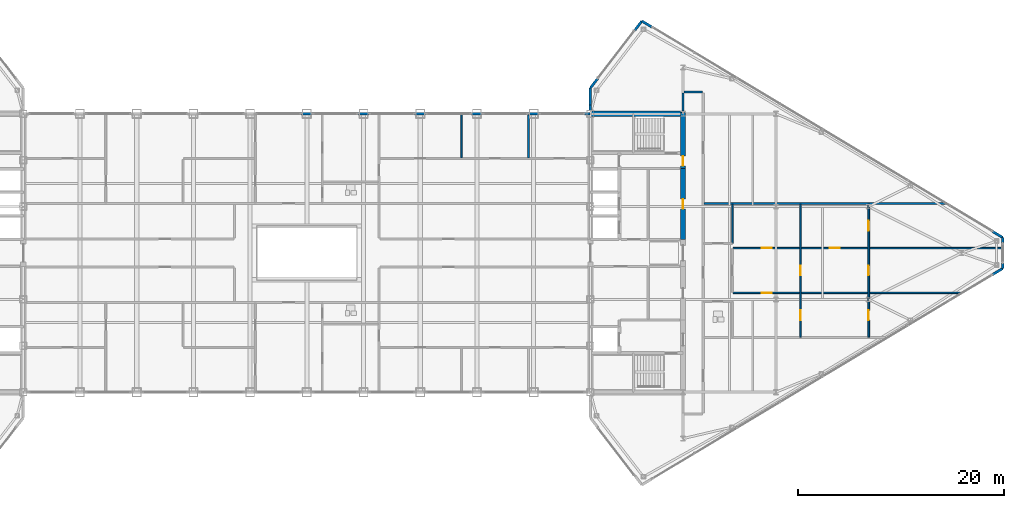
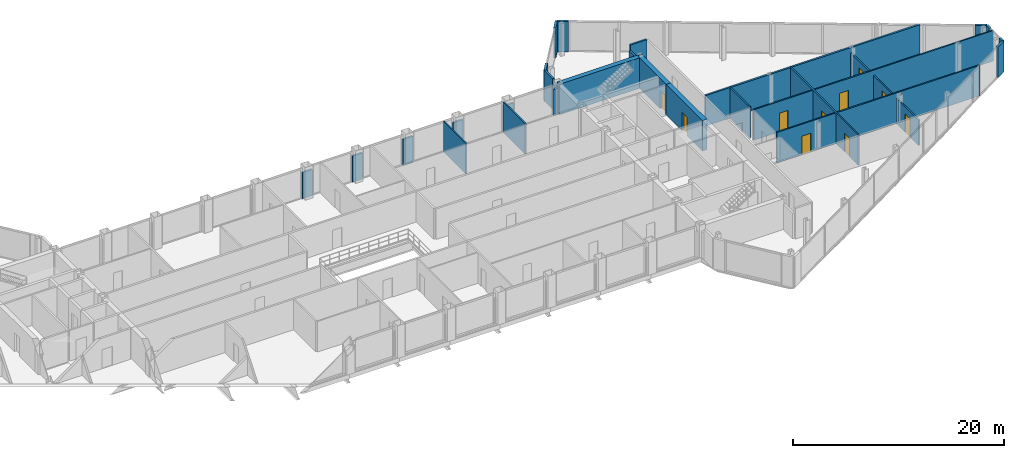
# One storey, part 26 of 29: 28 walls, 10 doors, 10 openings.
"""IFC4 building model written with IfcOpenShell, lengths in metres."""

from ifc_helpers import new_model, si_unit, direction, frame, frame_2d, origin, place, context, subcontext, project, spatial, rectangle, extrude, source, transform, mapped, material, layer, layer_set, type_object, type_shapes, element, fill, save


model = new_model("IFC4")

# Units and contexts
model_context = context("Model", 3, precision=1e-05, world=origin(), true_north=direction((0.0, 1.0)))
body_context = subcontext(model_context, "Body", "Model", "MODEL_VIEW")
ifc_project = project(units=[si_unit("LENGTHUNIT", "METRE"), si_unit("AREAUNIT", "SQUARE_METRE"), si_unit("VOLUMEUNIT", "CUBIC_METRE"), si_unit("PLANEANGLEUNIT", "RADIAN"), si_unit("MASSUNIT", "GRAM", prefix="KILO")], contexts=[model_context])

# Site, building, storey
site_placement = place(None, origin())
site = spatial("IfcSite", under=ifc_project, at=site_placement, CompositionType="ELEMENT")
building_placement = place(site_placement, origin())
building = spatial("IfcBuilding", under=site, at=building_placement, Name="Seokmaru Belvedere", CompositionType="ELEMENT")
storey_placement = place(building_placement, frame((0.0, 0.0, 250.64990234375)))
storey = spatial("IfcBuildingStorey", under=building, at=storey_placement, Name="L66", CompositionType="ELEMENT", Elevation=250.64990234375)

# Wall, opening, door
ifc_material_1 = material(Name="Fire-Rated Gypsum Shaftwall")
ifc_layer_1 = layer(ifc_material_1, 0.14990234375)
ifc_layer_set_1 = layer_set([ifc_layer_1], Name="Fire-Rated Gypsum Shaftwall")
wall_type_1 = type_object("IfcWallType", Name="Apartment Fire-Acoustic Room Partition 150", PredefinedType="PARTITIONING", material=ifc_layer_set_1)
wall_1_placement = place(storey_placement, frame((41.35009765625, -3.8701171875, 0.0), z_axis=(0.0, 0.0, 1.0), x_axis=(1.0, 0.0, 0.0)))
wall_1 = element("IfcWall", 1, at=wall_1_placement, inside=storey, type_object=wall_type_1, Name="L66 Interior Partition 013", PredefinedType="PARTITIONING", context=body_context, shape_type="SweptSolid", body=[
    extrude(rectangle(XDim=22.239990234375, YDim=0.14990234375, at=frame_2d((11.1201171875, 0.0))), origin(), (0.0, 0.0, 1.0), 3.530029296875),
])
opening_1_placement = place(wall_1_placement, frame((2.77490234375, 0.0, 0.0)))
opening_1 = element("IfcOpeningElement", 2, at=opening_1_placement, cuts=wall_1, Name="Opening D05", PredefinedType="OPENING", context=body_context, shape_type="SweptSolid", body=[
    extrude(rectangle(XDim=0.949951171875, YDim=2.14990234375, at=frame_2d((0.47509765625, 1.074951171875))), frame((0.0, 0.0849609375, 0.0), z_axis=(0.0, -1.0, 0.0), x_axis=(1.0, 0.0, 0.0)), (0.0, 0.0, 1.0), 0.169921875),
])
ifc_material_2 = material(Name="Engineered White Oak Timber", Category="wood")
door_type_1 = type_object("IfcDoorType", Name="Apartment Interior Fire-Rated Oak Door 950x2150", OperationType="NOTDEFINED", PredefinedType="DOOR", material=ifc_material_2)
shared_shape_1 = source(origin(), body_context, "Body", "SweptSolid", [
    extrude(rectangle(XDim=0.949951171875, YDim=2.14990234375, at=frame_2d((0.47509765625, 1.074951171875))), frame((0.0, 0.02490234375, 0.0), z_axis=(0.0, -1.0, 0.0), x_axis=(1.0, 0.0, 0.0)), (0.0, 0.0, 1.0), 0.050048828125),
])
type_shapes(door_type_1, [shared_shape_1])
door_1_placement = place(opening_1_placement, origin())
door_1 = element("IfcDoor", 3, at=door_1_placement, inside=storey, type_object=door_type_1, Name="L66 Interior Door 017", OperationType="SINGLE_SWING_LEFT", OverallHeight=2.14990234375, OverallWidth=0.949951171875, PredefinedType="DOOR", context=body_context, shape_type="MappedRepresentation", body=[
    mapped(shared_shape_1, transform((0.0, 0.0, 0.0), scale=1.0)),
])
fill(opening_1, door_1)

# Wall, openings, doors
wall_2_placement = place(storey_placement, frame((41.35009765625, 0.469970703125, 0.0), z_axis=(0.0, 0.0, 1.0), x_axis=(1.0, 0.0, 0.0)))
wall_2 = element("IfcWall", 4, at=wall_2_placement, inside=storey, type_object=wall_type_1, Name="L66 Interior Partition 018", PredefinedType="PARTITIONING", context=body_context, shape_type="SweptSolid", body=[
    extrude(rectangle(XDim=26.184814453125, YDim=0.14990234375, at=frame_2d((13.09228515625, 0.0))), origin(), (0.0, 0.0, 1.0), 3.530029296875),
])
opening_2_placement = place(wall_2_placement, frame((2.77490234375, 0.0, 0.0)))
opening_2 = element("IfcOpeningElement", 5, at=opening_2_placement, cuts=wall_2, Name="Opening D05", PredefinedType="OPENING", context=body_context, shape_type="SweptSolid", body=[
    extrude(rectangle(XDim=0.949951171875, YDim=2.14990234375, at=frame_2d((0.47509765625, 1.074951171875))), frame((0.0, 0.0849609375, 0.0), z_axis=(0.0, -1.0, 0.0), x_axis=(1.0, 0.0, 0.0)), (0.0, 0.0, 1.0), 0.169921875),
])
opening_3_placement = place(wall_2_placement, frame((9.375, 0.0, 0.0)))
opening_3 = element("IfcOpeningElement", 6, at=opening_3_placement, cuts=wall_2, Name="Opening D05", PredefinedType="OPENING", context=body_context, shape_type="SweptSolid", body=[
    extrude(rectangle(XDim=0.949951171875, YDim=2.14990234375, at=frame_2d((0.47509765625, 1.074951171875))), frame((0.0, 0.0849609375, 0.0), z_axis=(0.0, -1.0, 0.0), x_axis=(1.0, 0.0, 0.0)), (0.0, 0.0, 1.0), 0.169921875),
])
door_2_placement = place(opening_2_placement, origin())
door_2 = element("IfcDoor", 7, at=door_2_placement, inside=storey, type_object=door_type_1, Name="L66 Interior Door 019", OperationType="SINGLE_SWING_RIGHT", OverallHeight=2.14990234375, OverallWidth=0.949951171875, PredefinedType="DOOR", context=body_context, shape_type="MappedRepresentation", body=[
    mapped(shared_shape_1, transform((0.0, 0.0, 0.0), scale=1.0)),
])
fill(opening_2, door_2)
door_3_placement = place(opening_3_placement, origin())
door_3 = element("IfcDoor", 8, at=door_3_placement, inside=storey, type_object=door_type_1, Name="L66 Interior Door 023", OperationType="SINGLE_SWING_LEFT", OverallHeight=2.14990234375, OverallWidth=0.949951171875, PredefinedType="DOOR", context=body_context, shape_type="MappedRepresentation", body=[
    mapped(shared_shape_1, transform((0.0, 0.0, 0.0), scale=1.0)),
])
fill(opening_3, door_3)

# Walls
wall_3_placement = place(storey_placement, frame((15.0, 9.235107421875, 0.0), z_axis=(0.0, 0.0, 1.0), x_axis=(0.0, 1.0, 0.0)))
element("IfcWall", 9, at=wall_3_placement, inside=storey, type_object=wall_type_1, Name="L66 Interior Partition 053", PredefinedType="PARTITIONING", context=body_context, shape_type="SweptSolid", body=[
    extrude(rectangle(XDim=4.264892578125, YDim=0.14990234375, at=frame_2d((2.13232421875, 0.0))), origin(), (0.0, 0.0, 1.0), 3.530029296875),
])
wall_4_placement = place(storey_placement, frame((21.5, 9.235107421875, 0.0), z_axis=(0.0, 0.0, 1.0), x_axis=(0.0, 1.0, 0.0)))
element("IfcWall", 10, at=wall_4_placement, inside=storey, type_object=wall_type_1, Name="L66 Interior Partition 055", PredefinedType="PARTITIONING", context=body_context, shape_type="SweptSolid", body=[
    extrude(rectangle(XDim=4.15478515625, YDim=0.14990234375, at=frame_2d((2.077392578125, 0.0))), origin(), (0.0, 0.0, 1.0), 3.530029296875),
])
wall_5_placement = place(storey_placement, frame((41.300048828125, 0.951904296875, 0.0), z_axis=(0.0, 0.0, 1.0), x_axis=(0.0, 1.0, 0.0)))
element("IfcWall", 11, at=wall_5_placement, inside=storey, type_object=wall_type_1, Name="L66 Interior Partition 061", PredefinedType="PARTITIONING", context=body_context, shape_type="SweptSolid", body=[
    extrude(rectangle(XDim=3.798095703125, YDim=0.14990234375, at=frame_2d((1.89892578125, 0.0))), origin(), (0.0, 0.0, 1.0), 3.530029296875),
])

# Wall, openings, doors
wall_6_placement = place(storey_placement, frame((47.89990234375, -8.14990234375, 0.0), z_axis=(0.0, 0.0, 1.0), x_axis=(0.0, 1.0, 0.0)))
wall_6 = element("IfcWall", 12, at=wall_6_placement, inside=storey, type_object=wall_type_1, Name="L66 Interior Partition 062", PredefinedType="PARTITIONING", context=body_context, shape_type="SweptSolid", body=[
    extrude(rectangle(XDim=12.89990234375, YDim=0.14990234375, at=frame_2d((6.449951171875, 0.0))), origin(), (0.0, 0.0, 1.0), 3.530029296875),
])
opening_4_placement = place(wall_6_placement, frame((5.97509765625, 0.0, 0.0)))
opening_4 = element("IfcOpeningElement", 13, at=opening_4_placement, cuts=wall_6, Name="Opening D05", PredefinedType="OPENING", context=body_context, shape_type="SweptSolid", body=[
    extrude(rectangle(XDim=0.949951171875, YDim=2.14990234375, at=frame_2d((0.47509765625, 1.074951171875))), frame((0.0, 0.0849609375, 0.0), z_axis=(0.0, -1.0, 0.0), x_axis=(1.0, 0.0, 0.0)), (0.0, 0.0, 1.0), 0.169921875),
])
opening_5_placement = place(wall_6_placement, frame((1.6416015625, 0.0, 0.0)))
opening_5 = element("IfcOpeningElement", 14, at=opening_5_placement, cuts=wall_6, Name="Opening D05", PredefinedType="OPENING", context=body_context, shape_type="SweptSolid", body=[
    extrude(rectangle(XDim=0.949951171875, YDim=2.14990234375, at=frame_2d((0.47509765625, 1.074951171875))), frame((0.0, 0.0849609375, 0.0), z_axis=(0.0, -1.0, 0.0), x_axis=(1.0, 0.0, 0.0)), (0.0, 0.0, 1.0), 0.169921875),
])
door_4_placement = place(opening_4_placement, origin())
door_4 = element("IfcDoor", 15, at=door_4_placement, inside=storey, type_object=door_type_1, Name="L66 Interior Door 018", OperationType="SINGLE_SWING_RIGHT", OverallHeight=2.14990234375, OverallWidth=0.949951171875, PredefinedType="DOOR", context=body_context, shape_type="MappedRepresentation", body=[
    mapped(shared_shape_1, transform((0.0, 0.0, 0.0), scale=1.0)),
])
fill(opening_4, door_4)
door_5_placement = place(opening_5_placement, origin())
door_5 = element("IfcDoor", 16, at=door_5_placement, inside=storey, type_object=door_type_1, Name="L66 Interior Door 021", OperationType="SINGLE_SWING_LEFT", OverallHeight=2.14990234375, OverallWidth=0.949951171875, PredefinedType="DOOR", context=body_context, shape_type="MappedRepresentation", body=[
    mapped(shared_shape_1, transform((0.0, 0.0, 0.0), scale=1.0)),
])
fill(opening_5, door_5)

wall_7_placement = place(storey_placement, frame((54.5, -8.14990234375, 0.0), z_axis=(0.0, 0.0, 1.0), x_axis=(0.0, 1.0, 0.0)))
wall_7 = element("IfcWall", 17, at=wall_7_placement, inside=storey, type_object=wall_type_1, Name="L66 Interior Partition 063", PredefinedType="PARTITIONING", context=body_context, shape_type="SweptSolid", body=[
    extrude(rectangle(XDim=12.89990234375, YDim=0.14990234375, at=frame_2d((6.449951171875, 0.0))), origin(), (0.0, 0.0, 1.0), 2.93017578125),
])
opening_6_placement = place(wall_7_placement, frame((5.97509765625, 0.0, 0.0)))
opening_6 = element("IfcOpeningElement", 18, at=opening_6_placement, cuts=wall_7, Name="Opening D05", PredefinedType="OPENING", context=body_context, shape_type="SweptSolid", body=[
    extrude(rectangle(XDim=0.949951171875, YDim=2.14990234375, at=frame_2d((0.47509765625, 1.074951171875))), frame((0.0, 0.0849609375, 0.0), z_axis=(0.0, -1.0, 0.0), x_axis=(1.0, 0.0, 0.0)), (0.0, 0.0, 1.0), 0.169921875),
])
opening_7_placement = place(wall_7_placement, frame((1.6416015625, 0.0, 0.0)))
opening_7 = element("IfcOpeningElement", 19, at=opening_7_placement, cuts=wall_7, Name="Opening D05", PredefinedType="OPENING", context=body_context, shape_type="SweptSolid", body=[
    extrude(rectangle(XDim=0.949951171875, YDim=2.14990234375, at=frame_2d((0.47509765625, 1.074951171875))), frame((0.0, 0.0849609375, 0.0), z_axis=(0.0, -1.0, 0.0), x_axis=(1.0, 0.0, 0.0)), (0.0, 0.0, 1.0), 0.169921875),
])
opening_8_placement = place(wall_7_placement, frame((10.308349609375, 0.0, 0.0)))
opening_8 = element("IfcOpeningElement", 20, at=opening_8_placement, cuts=wall_7, Name="Opening D05", PredefinedType="OPENING", context=body_context, shape_type="SweptSolid", body=[
    extrude(rectangle(XDim=0.949951171875, YDim=2.14990234375, at=frame_2d((0.47509765625, 1.074951171875))), frame((0.0, 0.0849609375, 0.0), z_axis=(0.0, -1.0, 0.0), x_axis=(1.0, 0.0, 0.0)), (0.0, 0.0, 1.0), 0.169921875),
])
door_6_placement = place(opening_6_placement, origin())
door_6 = element("IfcDoor", 21, at=door_6_placement, inside=storey, type_object=door_type_1, Name="L66 Interior Door 020", OperationType="SINGLE_SWING_RIGHT", OverallHeight=2.14990234375, OverallWidth=0.949951171875, PredefinedType="DOOR", context=body_context, shape_type="MappedRepresentation", body=[
    mapped(shared_shape_1, transform((0.0, 0.0, 0.0), scale=1.0)),
])
fill(opening_6, door_6)
door_7_placement = place(opening_7_placement, origin())
door_7 = element("IfcDoor", 22, at=door_7_placement, inside=storey, type_object=door_type_1, Name="L66 Interior Door 022", OperationType="SINGLE_SWING_LEFT", OverallHeight=2.14990234375, OverallWidth=0.949951171875, PredefinedType="DOOR", context=body_context, shape_type="MappedRepresentation", body=[
    mapped(shared_shape_1, transform((0.0, 0.0, 0.0), scale=1.0)),
])
fill(opening_7, door_7)
door_8_placement = place(opening_8_placement, origin())
door_8 = element("IfcDoor", 23, at=door_8_placement, inside=storey, type_object=door_type_1, Name="L66 Interior Door 024", OperationType="SINGLE_SWING_RIGHT", OverallHeight=2.14990234375, OverallWidth=0.949951171875, PredefinedType="DOOR", context=body_context, shape_type="MappedRepresentation", body=[
    mapped(shared_shape_1, transform((0.0, 0.0, 0.0), scale=1.0)),
])
fill(opening_8, door_8)

# Walls
ifc_material_3 = material(Name="Anodised Bronze Aluminium", Category="aluminium")
ifc_layer_2 = layer(ifc_material_3, 0.2099609375)
ifc_layer_set_2 = layer_set([ifc_layer_2], Name="Anodised Bronze Aluminium")
wall_type_2 = type_object("IfcWallType", Name="Bridge Column Spandrel Closure Pier 210", PredefinedType="SOLIDWALL", material=ifc_layer_set_2)
for number, where, z_axis, x_axis, name in (
    (24, (-0.550048828125, 13.5, 0.0), (0.0, 0.0, 1.0), (1.0, 0.0, 0.0), "L66 Bridge North Column Closure Pier 06"),
    (25, (4.949951171875, 13.5, 0.0), (0.0, 0.0, 1.0), (1.0, 0.0, 0.0), "L66 Bridge North Column Closure Pier 07"),
    (26, (10.449951171875, 13.5, 0.0), (0.0, 0.0, 1.0), (1.0, 0.0, 0.0), "L66 Bridge North Column Closure Pier 08"),
    (27, (15.949951171875, 13.5, 0.0), (0.0, 0.0, 1.0), (1.0, 0.0, 0.0), "L66 Bridge North Column Closure Pier 09"),
    (28, (21.449951171875, 13.5, 0.0), (0.0, 0.0, 1.0), (1.0, 0.0, 0.0), "L66 Bridge North Column Closure Pier 10"),
):
    element("IfcWall", number, at=place(storey_placement, frame(where, z_axis=z_axis, x_axis=x_axis)), inside=storey, type_object=wall_type_2, Name=name, PredefinedType="SOLIDWALL", context=body_context, shape_type="SweptSolid", body=[
        extrude(rectangle(XDim=1.10009765625, YDim=0.2099609375, at=frame_2d((0.550048828125, 0.0))), origin(), (0.0, 0.0, 1.0), 3.030029296875),
    ])
wall_8_placement = place(storey_placement, frame((26.949951171875, 13.5, 0.0), z_axis=(0.0, 0.0, 1.0), x_axis=(1.0, 0.0, 0.0)))
element("IfcWall", 29, at=wall_8_placement, inside=storey, type_object=wall_type_2, Name="L66 Bridge North Column Closure Pier 11", PredefinedType="SOLIDWALL", context=body_context, shape_type="SweptSolid", body=[
    extrude(rectangle(XDim=0.5400390625, YDim=0.2099609375, at=frame_2d((0.27001953125, 0.0))), origin(), (0.0, 0.0, 1.0), 3.030029296875),
])
ifc_layer_3 = layer(ifc_material_1, 0.199951171875)
ifc_layer_set_3 = layer_set([ifc_layer_3], Name="Fire-Rated Gypsum Shaftwall")
wall_type_3 = type_object("IfcWallType", Name="Inter-Tenancy Fire Compartment Partition 200", PredefinedType="PARTITIONING", material=ifc_layer_set_3)
wall_9_placement = place(storey_placement, frame((38.530029296875, 4.800048828125, 0.0), z_axis=(0.0, 0.0, 1.0), x_axis=(1.0, 0.0, 0.0)))
element("IfcWall", 30, at=wall_9_placement, inside=storey, type_object=wall_type_3, Name="L66 Interior Partition 024", PredefinedType="PARTITIONING", context=body_context, shape_type="SweptSolid", body=[
    extrude(rectangle(XDim=23.47998046875, YDim=0.199951171875, at=frame_2d((11.739990234375, 0.0))), origin(), (0.0, 0.0, 1.0), 3.530029296875),
])
wall_10_placement = place(storey_placement, frame((36.5849609375, 15.60009765625, 0.0), z_axis=(0.0, 0.0, 1.0), x_axis=(1.0, 0.0, 0.0)))
element("IfcWall", 31, at=wall_10_placement, inside=storey, type_object=wall_type_3, Name="L66 Interior Partition 030", PredefinedType="PARTITIONING", context=body_context, shape_type="SweptSolid", body=[
    extrude(rectangle(XDim=1.780029296875, YDim=0.199951171875, at=frame_2d((0.89013671875, 0.0))), origin(), (0.0, 0.0, 1.0), 3.530029296875),
])
wall_11_placement = place(storey_placement, frame((36.5, 13.7548828125, 0.0), z_axis=(0.0, 0.0, 1.0), x_axis=(0.0, 1.0, 0.0)))
element("IfcWall", 32, at=wall_11_placement, inside=storey, type_object=wall_type_3, Name="L66 Interior Partition 057", PredefinedType="PARTITIONING", context=body_context, shape_type="SweptSolid", body=[
    extrude(rectangle(XDim=1.760009765625, YDim=0.199951171875, at=frame_2d((0.8798828125, 0.0))), origin(), (0.0, 0.0, 1.0), 2.93017578125),
])
ifc_layer_4 = layer(ifc_material_3, 0.239990234375)
ifc_layer_set_4 = layer_set([ifc_layer_4], Name="Anodised Bronze Aluminium")
wall_type_4 = type_object("IfcWallType", Name="Tower Corner Spandrel Closure Wall 240", PredefinedType="SOLIDWALL", material=ifc_layer_set_4)
wall_12_placement = place(storey_placement, frame((66.513916015625, -2.091796875, 0.0), z_axis=(0.0, 0.0, 1.0), x_axis=(0.85743623509, 0.514590228002, 0.0)))
element("IfcWall", 33, at=wall_12_placement, inside=storey, type_object=wall_type_4, Name="L66 E Corner Closure Pier 1B", PredefinedType="SOLIDWALL", context=body_context, shape_type="SweptSolid", body=[
    extrude(rectangle(XDim=1.14013671875, YDim=0.239990234375, at=frame_2d((0.570068359375, 0.0))), origin(), (0.0, 0.0, 1.0), 3.530029296875),
])
for number, where, z_axis, x_axis, name in (
    (34, (67.5, -1.489990234375, 0.0), (0.0, 0.0, 1.0), (0.0, 1.0, 0.0), "L66 E Apex Closure Pier 2A"),
    (35, (67.5, 0.949951171875, 0.0), (0.0, 0.0, 1.0), (0.0, 1.0, 0.0), "L66 E Apex Closure Pier 2B"),
):
    element("IfcWall", number, at=place(storey_placement, frame(where, z_axis=z_axis, x_axis=x_axis)), inside=storey, type_object=wall_type_4, Name=name, PredefinedType="SOLIDWALL", context=body_context, shape_type="SweptSolid", body=[
        extrude(rectangle(XDim=0.5400390625, YDim=0.239990234375, at=frame_2d((0.27001953125, 0.0))), origin(), (0.0, 0.0, 1.0), 3.530029296875),
    ])
for number, where, z_axis, x_axis, name in (
    (36, (67.491455078125, 1.505126953125, 0.0), (0.0, 0.0, 1.0), (-0.85743623509, 0.514590228002, 0.0), "L66 E Corner Closure Pier 3A"),
    (37, (33.486083984375, 21.908203125, 0.0), (0.0, 0.0, 1.0), (-0.85743623509, 0.514590228002, 0.0), "L66 E Corner Closure Pier 3B"),
    (38, (32.493896484375, 22.4921875, 0.0), (0.0, 0.0, 1.0), (-0.609617623633, -0.792695624408, 0.0), "L66 E Corner Closure Pier 4A"),
    (39, (28.201171875, 16.91162109375, 0.0), (0.0, 0.0, 1.0), (-0.609617623633, -0.792695624408, 0.0), "L66 E Corner Closure Pier 4B"),
):
    element("IfcWall", number, at=place(storey_placement, frame(where, z_axis=z_axis, x_axis=x_axis)), inside=storey, type_object=wall_type_4, Name=name, PredefinedType="SOLIDWALL", context=body_context, shape_type="SweptSolid", body=[
        extrude(rectangle(XDim=1.14013671875, YDim=0.239990234375, at=frame_2d((0.570068359375, 0.0))), origin(), (0.0, 0.0, 1.0), 3.530029296875),
    ])
wall_13_placement = place(storey_placement, frame((27.5, 13.7548828125, 0.0), z_axis=(0.0, 0.0, 1.0), x_axis=(0.0, 1.0, 0.0)))
element("IfcWall", 40, at=wall_13_placement, inside=storey, type_object=wall_type_4, Name="L66 E Shoulder Closure Wall 2", PredefinedType="SOLIDWALL", context=body_context, shape_type="SweptSolid", body=[
    extrude(rectangle(XDim=0.619873046875, YDim=0.239990234375, at=frame_2d((0.31005859375, 0.0))), origin(), (0.0, 0.0, 1.0), 3.030029296875),
])
wall_14_placement = place(storey_placement, frame((27.5, 14.374755859375, 0.0), z_axis=(0.0, 0.0, 1.0), x_axis=(0.0, 1.0, 0.0)))
element("IfcWall", 41, at=wall_14_placement, inside=storey, type_object=wall_type_4, Name="L66 E Shoulder Closure Wall 2 Part 2", PredefinedType="SOLIDWALL", context=body_context, shape_type="SweptSolid", body=[
    extrude(rectangle(XDim=1.605224609375, YDim=0.239990234375, at=frame_2d((0.802734375, 0.0))), origin(), (0.0, 0.0, 1.0), 3.530029296875),
])
ifc_material_4 = material(Name="Concrete C50 (50 MPa)", Category="concrete")
ifc_layer_5 = layer(ifc_material_4, 0.5)
ifc_layer_set_5 = layer_set([ifc_layer_5], Name="Concrete C50 (50 MPa)")
wall_type_5 = type_object("IfcWallType", Name="Upper Tower Reinforced Concrete Core Wall 500", PredefinedType="SHEAR", material=ifc_layer_set_5)
wall_15_placement = place(storey_placement, frame((27.5, 13.5, 0.0), z_axis=(0.0, 0.0, 1.0), x_axis=(1.0, 0.0, 0.0)))
element("IfcWall", 42, at=wall_15_placement, inside=storey, type_object=wall_type_5, Name="L66 East North Core Wall", PredefinedType="SHEAR", context=body_context, shape_type="SweptSolid", body=[
    extrude(rectangle(XDim=9.0, YDim=0.5, at=frame_2d((4.5, 0.0))), origin(), (0.0, 0.0, 1.0), 3.530029296875),
])

# Wall, opening, door
wall_16_placement = place(storey_placement, frame((36.5, 8.199951171875, 0.0), z_axis=(0.0, 0.0, 1.0), x_axis=(0.0, 1.0, 0.0)))
wall_16 = element("IfcWall", 43, at=wall_16_placement, inside=storey, type_object=wall_type_5, Name="L66 East West Core Wall VST", PredefinedType="SHEAR", context=body_context, shape_type="SweptSolid", body=[
    extrude(rectangle(XDim=5.449951171875, YDim=0.5, at=frame_2d((2.72509765625, 0.0))), origin(), (0.0, 0.0, 1.0), 3.530029296875),
])
opening_9_placement = place(wall_16_placement, frame((0.2451171875, 0.0, 0.0)))
opening_9 = element("IfcOpeningElement", 44, at=opening_9_placement, cuts=wall_16, Name="Opening D04", PredefinedType="OPENING", context=body_context, shape_type="SweptSolid", body=[
    extrude(rectangle(XDim=0.949951171875, YDim=2.14990234375, at=frame_2d((0.47509765625, 1.074951171875))), frame((0.0, 0.260009765625, 0.0), z_axis=(0.0, -1.0, 0.0), x_axis=(1.0, 0.0, 0.0)), (0.0, 0.0, 1.0), 0.52001953125),
])
ifc_material_5 = material(Name="Fire-Rated Steel Leaf", Category="steel")
door_type_2 = type_object("IfcDoorType", Name="Core Service Room Fire Door 950x2150", OperationType="NOTDEFINED", PredefinedType="DOOR", material=ifc_material_5)
shared_shape_2 = source(origin(), body_context, "Body", "SweptSolid", [
    extrude(rectangle(XDim=0.949951171875, YDim=2.14990234375, at=frame_2d((0.47509765625, 1.074951171875))), frame((0.0, 0.02490234375, 0.0), z_axis=(0.0, -1.0, 0.0), x_axis=(1.0, 0.0, 0.0)), (0.0, 0.0, 1.0), 0.050048828125),
])
type_shapes(door_type_2, [shared_shape_2])
door_9_placement = place(opening_9_placement, origin())
door_9 = element("IfcDoor", 45, at=door_9_placement, inside=storey, type_object=door_type_2, Name="L66 East Smokeproof Vestibule Door", OperationType="SINGLE_SWING_LEFT", OverallHeight=2.14990234375, OverallWidth=0.949951171875, PredefinedType="DOOR", context=body_context, shape_type="MappedRepresentation", body=[
    mapped(shared_shape_2, transform((0.0, 0.0, 0.0), scale=1.0)),
])
fill(opening_9, door_9)

wall_17_placement = place(storey_placement, frame((36.5, 1.300048828125, 0.0), z_axis=(0.0, 0.0, 1.0), x_axis=(0.0, 1.0, 0.0)))
wall_17 = element("IfcWall", 46, at=wall_17_placement, inside=storey, type_object=wall_type_5, Name="L66 East West Core Wall CS2", PredefinedType="SHEAR", context=body_context, shape_type="SweptSolid", body=[
    extrude(rectangle(XDim=6.89990234375, YDim=0.5, at=frame_2d((3.449951171875, 0.0))), origin(), (0.0, 0.0, 1.0), 3.530029296875),
])
opening_10_placement = place(wall_17_placement, frame((2.97509765625, 0.0, 0.0)))
opening_10 = element("IfcOpeningElement", 47, at=opening_10_placement, cuts=wall_17, Name="Opening D04", PredefinedType="OPENING", context=body_context, shape_type="SweptSolid", body=[
    extrude(rectangle(XDim=0.949951171875, YDim=2.14990234375, at=frame_2d((0.47509765625, 1.074951171875))), frame((0.0, 0.260009765625, 0.0), z_axis=(0.0, -1.0, 0.0), x_axis=(1.0, 0.0, 0.0)), (0.0, 0.0, 1.0), 0.52001953125),
])
door_10_placement = place(opening_10_placement, origin())
door_10 = element("IfcDoor", 48, at=door_10_placement, inside=storey, type_object=door_type_2, Name="L66 East Core Service Room Door 2", OperationType="SINGLE_SWING_LEFT", OverallHeight=2.14990234375, OverallWidth=0.949951171875, PredefinedType="DOOR", context=body_context, shape_type="MappedRepresentation", body=[
    mapped(shared_shape_2, transform((0.0, 0.0, 0.0), scale=1.0)),
])
fill(opening_10, door_10)

save(model, "model.ifc")
